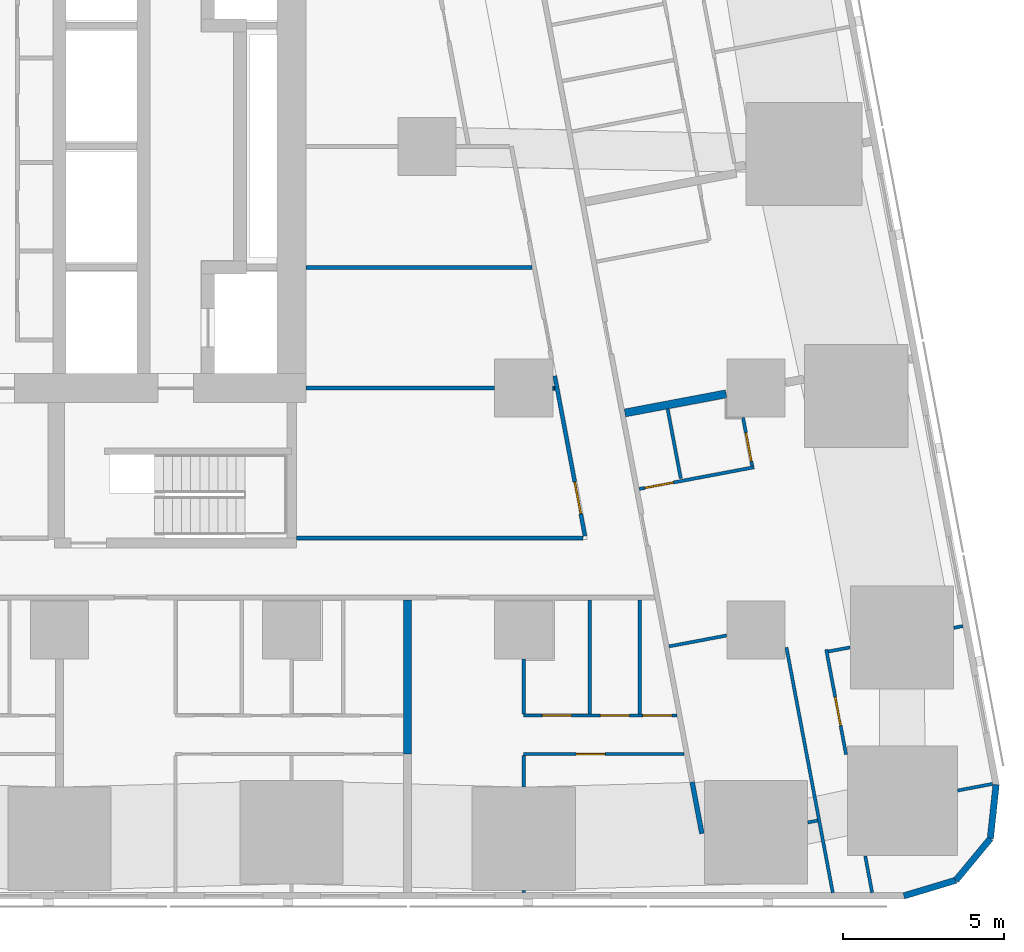
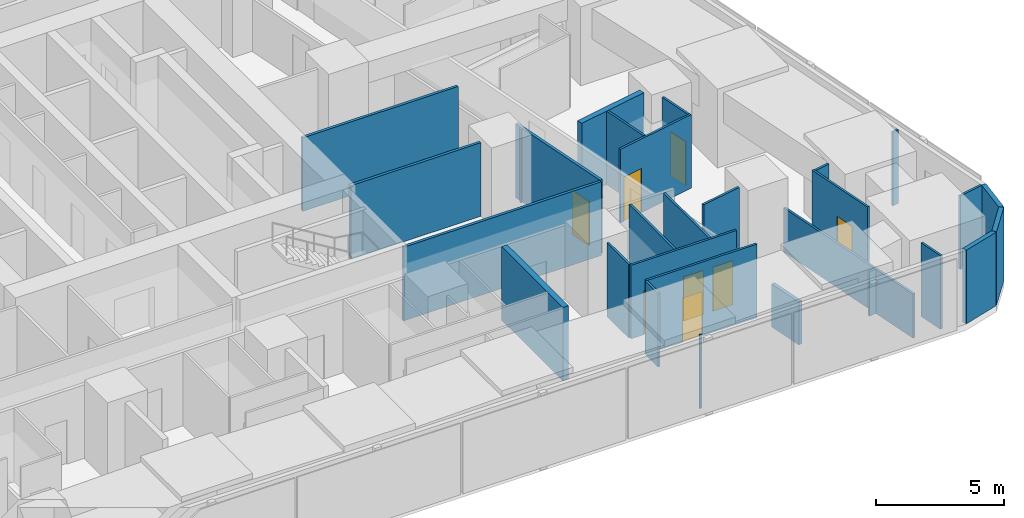
# One storey, part 9 of 18: 29 walls, 8 doors, 8 openings.
"""IFC4 building model written with IfcOpenShell, lengths in metres."""

from ifc_helpers import new_model, si_unit, direction, frame, frame_2d, origin, place, context, subcontext, project, spatial, rectangle, extrude, material, layer, layer_set, type_object, element, fill, save


model = new_model("IFC4")

# Units and contexts
model_context = context("Model", 3, precision=1e-05, world=origin(), true_north=direction((0.0, 1.0)))
body_context = subcontext(model_context, "Body", "Model", "MODEL_VIEW")
ifc_project = project(units=[si_unit("LENGTHUNIT", "METRE"), si_unit("AREAUNIT", "SQUARE_METRE"), si_unit("VOLUMEUNIT", "CUBIC_METRE"), si_unit("PLANEANGLEUNIT", "RADIAN"), si_unit("MASSUNIT", "GRAM", prefix="KILO")], contexts=[model_context])

# Site, building, storey
site_placement = place(None, origin())
site = spatial("IfcSite", under=ifc_project, at=site_placement, CompositionType="ELEMENT")
building_placement = place(site_placement, origin())
building = spatial("IfcBuilding", under=site, at=building_placement, Name="Sheger Commons Tower", CompositionType="ELEMENT")
storey_placement = place(building_placement, frame((0.0, 0.0, 20.0)))
storey = spatial("IfcBuildingStorey", under=building, at=storey_placement, Name="L04", CompositionType="ELEMENT", Elevation=20.0)

# Walls
ifc_material_1 = material(Name="Hollow concrete block masonry, skimmed both sides", Category="masonry")
ifc_layer_1 = layer(ifc_material_1, 0.14990234375)
ifc_layer_set_1 = layer_set([ifc_layer_1], Name="CORRIDOR WALL 150")
wall_type_1 = type_object("IfcWallType", Name="CORRIDOR WALL 150", PredefinedType="SOLIDWALL", material=ifc_layer_set_1)
wall_1_placement = place(storey_placement, frame((41.22412109375, 2.782958984375, 0.0), z_axis=(0.0, 0.0, 1.0), x_axis=(0.185566507215, -0.982631706897, 0.0)))
element("IfcWall", 1, at=wall_1_placement, inside=storey, type_object=wall_type_1, Name="Corridor wall L04", PredefinedType="SOLIDWALL", context=body_context, shape_type="SweptSolid", body=[
    extrude(rectangle(XDim=1.626220703125, YDim=0.14990234375, at=frame_2d((0.81298828125, 0.0))), origin(), (0.0, 0.0, 1.0), 2.050048828125),
])
ifc_material_2 = material(Name="Dense concrete block masonry, plastered both sides (separating wall between flats)", Category="masonry")
ifc_layer_2 = layer(ifc_material_2, 0.25)
ifc_layer_set_2 = layer_set([ifc_layer_2], Name="DEMISING WALL 250")
wall_type_2 = type_object("IfcWallType", Name="DEMISING WALL 250", PredefinedType="SOLIDWALL", material=ifc_layer_set_2)
wall_2_placement = place(storey_placement, frame((32.39990234375, 3.64990234375, 0.0), z_axis=(0.0, 0.0, 1.0), x_axis=(0.0, 1.0, 0.0)))
element("IfcWall", 2, at=wall_2_placement, inside=storey, type_object=wall_type_2, Name="Demising wall L04", PredefinedType="SOLIDWALL", context=body_context, shape_type="SweptSolid", body=[
    extrude(rectangle(XDim=4.775146484375, YDim=0.25, at=frame_2d((2.3876953125, 0.0))), origin(), (0.0, 0.0, 1.0), 3.5),
])
wall_3_placement = place(storey_placement, frame((42.27587890625, 14.824951171875, 0.0), z_axis=(0.0, 0.0, 1.0), x_axis=(-0.982607211054, -0.185696173318, 0.0)))
element("IfcWall", 3, at=wall_3_placement, inside=storey, type_object=wall_type_2, Name="Demising wall L04", PredefinedType="SOLIDWALL", context=body_context, shape_type="SweptSolid", body=[
    extrude(rectangle(XDim=3.193603515625, YDim=0.25, at=frame_2d((1.5966796875, 0.0))), origin(), (0.0, 0.0, 1.0), 3.5),
])
ifc_material_3 = material(Name="Rendered concrete block masonry, dark grey", Category="masonry")
ifc_layer_3 = layer(ifc_material_3, 0.199951171875)
ifc_layer_set_3 = layer_set([ifc_layer_3], Name="FACADE WALL 200")
wall_type_3 = type_object("IfcWallType", Name="FACADE WALL 200", PredefinedType="SOLIDWALL", material=ifc_layer_set_3)
wall_4_placement = place(storey_placement, frame((47.791015625, -0.75, 0.0), z_axis=(0.0, 0.0, 1.0), x_axis=(0.957455232626, 0.288581838509, 0.0)))
element("IfcWall", 4, at=wall_4_placement, inside=storey, type_object=wall_type_3, Name="Facade wall L04", PredefinedType="SOLIDWALL", context=body_context, shape_type="SweptSolid", body=[
    extrude(rectangle(XDim=1.687744140625, YDim=0.199951171875, at=frame_2d((0.84375, 0.0))), origin(), (0.0, 0.0, 1.0), 3.5),
])
wall_5_placement = place(storey_placement, frame((49.406982421875, -0.262939453125, 0.0), z_axis=(0.0, 0.0, 1.0), x_axis=(0.638042593423, 0.770001070764, 0.0)))
element("IfcWall", 5, at=wall_5_placement, inside=storey, type_object=wall_type_3, Name="Facade wall L04", PredefinedType="SOLIDWALL", context=body_context, shape_type="SweptSolid", body=[
    extrude(rectangle(XDim=1.672607421875, YDim=0.199951171875, at=frame_2d((0.83642578125, 0.0))), origin(), (0.0, 0.0, 1.0), 3.5),
])
wall_6_placement = place(storey_placement, frame((50.47412109375, 1.02490234375, 0.0), z_axis=(0.0, 0.0, 1.0), x_axis=(0.106047815515, 0.994361031429, 0.0)))
element("IfcWall", 6, at=wall_6_placement, inside=storey, type_object=wall_type_3, Name="Facade wall L04", PredefinedType="SOLIDWALL", context=body_context, shape_type="SweptSolid", body=[
    extrude(rectangle(XDim=1.6875, YDim=0.199951171875, at=frame_2d((0.84375, 0.0))), origin(), (0.0, 0.0, 1.0), 3.5),
])

# Wall, opening, door
ifc_material_4 = material(Name="Gypsum board on steel studs", Category="steel")
ifc_layer_4 = layer(ifc_material_4, 0.10009765625)
ifc_layer_set_4 = layer_set([ifc_layer_4], Name="PARTITION 100")
wall_type_4 = type_object("IfcWallType", Name="PARTITION 100", PredefinedType="PARTITIONING", material=ifc_layer_set_4)
wall_7_placement = place(storey_placement, frame((40.97509765625, 3.64990234375, 0.0), z_axis=(0.0, 0.0, 1.0), x_axis=(-1.0, 0.0, 0.0)))
wall_7 = element("IfcWall", 7, at=wall_7_placement, inside=storey, type_object=wall_type_4, Name="Partition L04", PredefinedType="PARTITIONING", context=body_context, shape_type="SweptSolid", body=[
    extrude(rectangle(XDim=4.97509765625, YDim=0.10009765625, at=frame_2d((2.487548828125, 0.0))), origin(), (0.0, 0.0, 1.0), 3.5),
])
opening_1_placement = place(wall_7_placement, frame((2.449951171875, 0.0, 0.0)))
opening_1 = element("IfcOpeningElement", 8, at=opening_1_placement, cuts=wall_7, Name="Opening D2", PredefinedType="OPENING", context=body_context, shape_type="SweptSolid", body=[
    extrude(rectangle(XDim=0.89990234375, YDim=2.10009765625, at=frame_2d((0.449951171875, 1.050048828125))), frame((0.0, 0.06005859375, 0.0), z_axis=(0.0, -1.0, 0.0), x_axis=(1.0, 0.0, 0.0)), (0.0, 0.0, 1.0), 0.1201171875),
])
ifc_material_5 = material(Name="Timber door set", Category="wood")
door_type_1 = type_object("IfcDoorType", Name="INTERNAL DOOR 900x2100", OperationType="NOTDEFINED", PredefinedType="DOOR", material=ifc_material_5)
door_1_placement = place(opening_1_placement, origin())
door_1 = element("IfcDoor", 9, at=door_1_placement, inside=storey, type_object=door_type_1, Name="Main bedroom door", OperationType="SINGLE_SWING_RIGHT", OverallHeight=2.10009765625, OverallWidth=0.89990234375, PredefinedType="DOOR", context=body_context, shape_type="SweptSolid", body=[
    extrude(rectangle(XDim=0.89990234375, YDim=2.10009765625, at=frame_2d((0.449951171875, 1.050048828125))), frame((0.0, 0.02490234375, 0.0), z_axis=(0.0, -1.0, 0.0), x_axis=(1.0, 0.0, 0.0)), (0.0, 0.0, 1.0), 0.050048828125),
])
fill(opening_1, door_1)

# Wall, openings, doors
wall_8_placement = place(storey_placement, frame((40.748046875, 4.85009765625, 0.0), z_axis=(0.0, 0.0, 1.0), x_axis=(-1.0, 0.0, 0.0)))
wall_8 = element("IfcWall", 10, at=wall_8_placement, inside=storey, type_object=wall_type_4, Name="Partition L04", PredefinedType="PARTITIONING", context=body_context, shape_type="SweptSolid", body=[
    extrude(rectangle(XDim=4.748046875, YDim=0.10009765625, at=frame_2d((2.3740234375, 0.0))), origin(), (0.0, 0.0, 1.0), 3.5),
])
opening_2_placement = place(wall_8_placement, frame((3.27294921875, 0.0, 0.0)))
opening_2 = element("IfcOpeningElement", 11, at=opening_2_placement, cuts=wall_8, Name="Opening D2", PredefinedType="OPENING", context=body_context, shape_type="SweptSolid", body=[
    extrude(rectangle(XDim=0.89990234375, YDim=2.10009765625, at=frame_2d((0.449951171875, 1.050048828125))), frame((0.0, 0.06005859375, 0.0), z_axis=(0.0, -1.0, 0.0), x_axis=(1.0, 0.0, 0.0)), (0.0, 0.0, 1.0), 0.1201171875),
])
opening_3_placement = place(wall_8_placement, frame((0.14990234375, 0.0, 0.0)))
opening_3 = element("IfcOpeningElement", 12, at=opening_3_placement, cuts=wall_8, Name="Opening D2", PredefinedType="OPENING", context=body_context, shape_type="SweptSolid", body=[
    extrude(rectangle(XDim=0.89990234375, YDim=2.10009765625, at=frame_2d((0.449951171875, 1.050048828125))), frame((0.0, 0.06005859375, 0.0), z_axis=(0.0, -1.0, 0.0), x_axis=(1.0, 0.0, 0.0)), (0.0, 0.0, 1.0), 0.1201171875),
])
opening_4_placement = place(wall_8_placement, frame((1.472900390625, 0.0, 0.0)))
opening_4 = element("IfcOpeningElement", 13, at=opening_4_placement, cuts=wall_8, Name="Opening D2", PredefinedType="OPENING", context=body_context, shape_type="SweptSolid", body=[
    extrude(rectangle(XDim=0.89990234375, YDim=2.10009765625, at=frame_2d((0.449951171875, 1.050048828125))), frame((0.0, 0.06005859375, 0.0), z_axis=(0.0, -1.0, 0.0), x_axis=(1.0, 0.0, 0.0)), (0.0, 0.0, 1.0), 0.1201171875),
])
door_2_placement = place(opening_2_placement, origin())
door_2 = element("IfcDoor", 14, at=door_2_placement, inside=storey, type_object=door_type_1, Name="Bathroom door", OperationType="SINGLE_SWING_LEFT", OverallHeight=2.10009765625, OverallWidth=0.89990234375, PredefinedType="DOOR", context=body_context, shape_type="SweptSolid", body=[
    extrude(rectangle(XDim=0.89990234375, YDim=2.10009765625, at=frame_2d((0.449951171875, 1.050048828125))), frame((0.0, 0.02490234375, 0.0), z_axis=(0.0, -1.0, 0.0), x_axis=(1.0, 0.0, 0.0)), (0.0, 0.0, 1.0), 0.050048828125),
])
fill(opening_2, door_2)
door_3_placement = place(opening_3_placement, origin())
door_3 = element("IfcDoor", 15, at=door_3_placement, inside=storey, type_object=door_type_1, Name="Laundry room door", OperationType="SINGLE_SWING_RIGHT", OverallHeight=2.10009765625, OverallWidth=0.89990234375, PredefinedType="DOOR", context=body_context, shape_type="SweptSolid", body=[
    extrude(rectangle(XDim=0.89990234375, YDim=2.10009765625, at=frame_2d((0.449951171875, 1.050048828125))), frame((0.0, 0.02490234375, 0.0), z_axis=(0.0, -1.0, 0.0), x_axis=(1.0, 0.0, 0.0)), (0.0, 0.0, 1.0), 0.050048828125),
])
fill(opening_3, door_3)
door_4_placement = place(opening_4_placement, origin())
door_4 = element("IfcDoor", 16, at=door_4_placement, inside=storey, type_object=door_type_1, Name="Store door", OperationType="SINGLE_SWING_RIGHT", OverallHeight=2.10009765625, OverallWidth=0.89990234375, PredefinedType="DOOR", context=body_context, shape_type="SweptSolid", body=[
    extrude(rectangle(XDim=0.89990234375, YDim=2.10009765625, at=frame_2d((0.449951171875, 1.050048828125))), frame((0.0, 0.02490234375, 0.0), z_axis=(0.0, -1.0, 0.0), x_axis=(1.0, 0.0, 0.0)), (0.0, 0.0, 1.0), 0.050048828125),
])
fill(opening_4, door_4)

# Walls
wall_9_placement = place(storey_placement, frame((36.0, -0.64990234375, 0.0), z_axis=(0.0, 0.0, 1.0), x_axis=(0.0, 1.0, 0.0)))
element("IfcWall", 17, at=wall_9_placement, inside=storey, type_object=wall_type_4, Name="Partition L04", PredefinedType="PARTITIONING", context=body_context, shape_type="SweptSolid", body=[
    extrude(rectangle(XDim=0.073974609375, YDim=0.10009765625, at=frame_2d((0.037109375, 0.0))), origin(), (0.0, 0.0, 1.0), 3.5),
])
wall_10_placement = place(storey_placement, frame((36.0, 2.6259765625, 0.0), z_axis=(0.0, 0.0, 1.0), x_axis=(0.0, 1.0, 0.0)))
element("IfcWall", 18, at=wall_10_placement, inside=storey, type_object=wall_type_4, Name="Partition L04", PredefinedType="PARTITIONING", context=body_context, shape_type="SweptSolid", body=[
    extrude(rectangle(XDim=0.97412109375, YDim=0.10009765625, at=frame_2d((0.487060546875, 0.0))), origin(), (0.0, 0.0, 1.0), 3.5),
])
wall_11_placement = place(storey_placement, frame((36.0, 4.89990234375, 0.0), z_axis=(0.0, 0.0, 1.0), x_axis=(0.0, 1.0, 0.0)))
element("IfcWall", 19, at=wall_11_placement, inside=storey, type_object=wall_type_4, Name="Partition L04", PredefinedType="PARTITIONING", context=body_context, shape_type="SweptSolid", body=[
    extrude(rectangle(XDim=1.69921875, YDim=0.10009765625, at=frame_2d((0.849609375, 0.0))), origin(), (0.0, 0.0, 1.0), 3.5),
])
for number, where, z_axis, x_axis, name in (
    (20, (39.60009765625, 4.89990234375, 0.0), (0.0, 0.0, 1.0), (0.0, 1.0, 0.0), "Partition L04"),
    (21, (38.050048828125, 4.89990234375, 0.0), (0.0, 0.0, 1.0), (0.0, 1.0, 0.0), "Partition L04"),
):
    element("IfcWall", number, at=place(storey_placement, frame(where, z_axis=z_axis, x_axis=x_axis)), inside=storey, type_object=wall_type_4, Name=name, PredefinedType="PARTITIONING", context=body_context, shape_type="SweptSolid", body=[
        extrude(rectangle(XDim=3.525146484375, YDim=0.10009765625, at=frame_2d((1.7626953125, 0.0))), origin(), (0.0, 0.0, 1.0), 3.5),
    ])

# Wall, opening, door
wall_12_placement = place(storey_placement, frame((42.802978515625, 14.090087890625, 0.0), z_axis=(0.0, 0.0, 1.0), x_axis=(0.185608486942, -0.982623778246, 0.0)))
wall_12 = element("IfcWall", 22, at=wall_12_placement, inside=storey, type_object=wall_type_4, Name="Partition L04", PredefinedType="PARTITIONING", context=body_context, shape_type="SweptSolid", body=[
    extrude(rectangle(XDim=1.52978515625, YDim=0.10009765625, at=frame_2d((0.764892578125, 0.0))), origin(), (0.0, 0.0, 1.0), 3.5),
])
opening_5_placement = place(wall_12_placement, frame((0.47998046875, 0.0, 0.0)))
opening_5 = element("IfcOpeningElement", 23, at=opening_5_placement, cuts=wall_12, Name="Opening D2", PredefinedType="OPENING", context=body_context, shape_type="SweptSolid", body=[
    extrude(rectangle(XDim=0.89990234375, YDim=2.10009765625, at=frame_2d((0.449951171875, 1.050048828125))), frame((0.0, 0.06005859375, 0.0), z_axis=(0.0, -1.0, 0.0), x_axis=(1.0, 0.0, 0.0)), (0.0, 0.0, 1.0), 0.1201171875),
])
door_5_placement = place(opening_5_placement, origin())
door_5 = element("IfcDoor", 24, at=door_5_placement, inside=storey, type_object=door_type_1, Name="Shower room door", OperationType="SINGLE_SWING_LEFT", OverallHeight=2.10009765625, OverallWidth=0.89990234375, PredefinedType="DOOR", context=body_context, shape_type="SweptSolid", body=[
    extrude(rectangle(XDim=0.89990234375, YDim=2.10009765625, at=frame_2d((0.449951171875, 1.050048828125))), frame((0.0, 0.02490234375, 0.0), z_axis=(0.0, -1.0, 0.0), x_axis=(1.0, 0.0, 0.0)), (0.0, 0.0, 1.0), 0.050048828125),
])
fill(opening_5, door_5)

wall_13_placement = place(storey_placement, frame((43.14501953125, 12.547119140625, 0.0), z_axis=(0.0, 0.0, 1.0), x_axis=(-0.982610451136, -0.185679027675, 0.0)))
wall_13 = element("IfcWall", 25, at=wall_13_placement, inside=storey, type_object=wall_type_4, Name="Partition L04", PredefinedType="PARTITIONING", context=body_context, shape_type="SweptSolid", body=[
    extrude(rectangle(XDim=3.625, YDim=0.10009765625, at=frame_2d((1.8125, 0.0))), origin(), (0.0, 0.0, 1.0), 3.5),
])
opening_6_placement = place(wall_13_placement, frame((2.550048828125, 0.0, 0.0)))
opening_6 = element("IfcOpeningElement", 26, at=opening_6_placement, cuts=wall_13, Name="Opening D2", PredefinedType="OPENING", context=body_context, shape_type="SweptSolid", body=[
    extrude(rectangle(XDim=0.89990234375, YDim=2.10009765625, at=frame_2d((0.449951171875, 1.050048828125))), frame((0.0, 0.06005859375, 0.0), z_axis=(0.0, -1.0, 0.0), x_axis=(1.0, 0.0, 0.0)), (0.0, 0.0, 1.0), 0.1201171875),
])
door_6_placement = place(opening_6_placement, origin())
door_6 = element("IfcDoor", 27, at=door_6_placement, inside=storey, type_object=door_type_1, Name="Store door", OperationType="SINGLE_SWING_LEFT", OverallHeight=2.10009765625, OverallWidth=0.89990234375, PredefinedType="DOOR", context=body_context, shape_type="SweptSolid", body=[
    extrude(rectangle(XDim=0.89990234375, YDim=2.10009765625, at=frame_2d((0.449951171875, 1.050048828125))), frame((0.0, 0.02490234375, 0.0), z_axis=(0.0, -1.0, 0.0), x_axis=(1.0, 0.0, 0.0)), (0.0, 0.0, 1.0), 0.050048828125),
])
fill(opening_6, door_6)

# Wall
wall_14_placement = place(storey_placement, frame((40.462890625, 14.35498046875, 0.0), z_axis=(0.0, 0.0, 1.0), x_axis=(0.185760900029, -0.98259497659, 0.0)))
element("IfcWall", 28, at=wall_14_placement, inside=storey, type_object=wall_type_4, Name="Partition L04", PredefinedType="PARTITIONING", context=body_context, shape_type="SweptSolid", body=[
    extrude(rectangle(XDim=2.192138671875, YDim=0.10009765625, at=frame_2d((1.09619140625, 0.0))), origin(), (0.0, 0.0, 1.0), 3.5),
])

# Wall, opening, door
wall_15_placement = place(storey_placement, frame((45.383056640625, 6.89404296875, 0.0), z_axis=(0.0, 0.0, 1.0), x_axis=(0.185714962489, -0.982603660032, 0.0)))
wall_15 = element("IfcWall", 29, at=wall_15_placement, inside=storey, type_object=wall_type_4, Name="Partition L04", PredefinedType="PARTITIONING", context=body_context, shape_type="SweptSolid", body=[
    extrude(rectangle(XDim=3.316650390625, YDim=0.10009765625, at=frame_2d((1.658203125, 0.0))), origin(), (0.0, 0.0, 1.0), 3.5),
])
opening_7_placement = place(wall_15_placement, frame((1.5, 0.0, 0.0)))
opening_7 = element("IfcOpeningElement", 30, at=opening_7_placement, cuts=wall_15, Name="Opening D2", PredefinedType="OPENING", context=body_context, shape_type="SweptSolid", body=[
    extrude(rectangle(XDim=0.89990234375, YDim=2.10009765625, at=frame_2d((0.449951171875, 1.050048828125))), frame((0.0, 0.06005859375, 0.0), z_axis=(0.0, -1.0, 0.0), x_axis=(1.0, 0.0, 0.0)), (0.0, 0.0, 1.0), 0.1201171875),
])
door_7_placement = place(opening_7_placement, origin())
door_7 = element("IfcDoor", 31, at=door_7_placement, inside=storey, type_object=door_type_1, Name="Main bedroom door", OperationType="SINGLE_SWING_RIGHT", OverallHeight=2.10009765625, OverallWidth=0.89990234375, PredefinedType="DOOR", context=body_context, shape_type="SweptSolid", body=[
    extrude(rectangle(XDim=0.89990234375, YDim=2.10009765625, at=frame_2d((0.449951171875, 1.050048828125))), frame((0.0, 0.02490234375, 0.0), z_axis=(0.0, -1.0, 0.0), x_axis=(1.0, 0.0, 0.0)), (0.0, 0.0, 1.0), 0.050048828125),
])
fill(opening_7, door_7)

# Walls
wall_16_placement = place(storey_placement, frame((46.593017578125, 0.487060546875, 0.0), z_axis=(0.0, 0.0, 1.0), x_axis=(0.185880657422, -0.982572328735, 0.0)))
element("IfcWall", 32, at=wall_16_placement, inside=storey, type_object=wall_type_4, Name="Partition L04", PredefinedType="PARTITIONING", context=body_context, shape_type="SweptSolid", body=[
    extrude(rectangle(XDim=1.1572265625, YDim=0.10009765625, at=frame_2d((0.57861328125, 0.0))), origin(), (0.0, 0.0, 1.0), 3.5),
])
wall_17_placement = place(storey_placement, frame((44.14892578125, 6.9599609375, 0.0), z_axis=(0.0, 0.0, 1.0), x_axis=(0.185677796828, -0.982610683722, 0.0)))
element("IfcWall", 33, at=wall_17_placement, inside=storey, type_object=wall_type_4, Name="Partition L04", PredefinedType="PARTITIONING", context=body_context, shape_type="SweptSolid", body=[
    extrude(rectangle(XDim=7.74462890625, YDim=0.10009765625, at=frame_2d((3.872314453125, 0.0))), origin(), (0.0, 0.0, 1.0), 2.10009765625),
])
wall_18_placement = place(storey_placement, frame((49.6220703125, 7.6201171875, 0.0), z_axis=(0.0, 0.0, 1.0), x_axis=(-0.982649953213, -0.185469861299, 0.0)))
element("IfcWall", 34, at=wall_18_placement, inside=storey, type_object=wall_type_4, Name="Partition L04", PredefinedType="PARTITIONING", context=body_context, shape_type="SweptSolid", body=[
    extrude(rectangle(XDim=0.286865234375, YDim=0.10009765625, at=frame_2d((0.1435546875, 0.0))), origin(), (0.0, 0.0, 1.0), 3.5),
])
wall_19_placement = place(storey_placement, frame((46.1201171875, 6.958984375, 0.0), z_axis=(0.0, 0.0, 1.0), x_axis=(-0.982722777639, -0.185083608972, 0.0)))
element("IfcWall", 35, at=wall_19_placement, inside=storey, type_object=wall_type_4, Name="Partition L04", PredefinedType="PARTITIONING", context=body_context, shape_type="SweptSolid", body=[
    extrude(rectangle(XDim=0.68603515625, YDim=0.10009765625, at=frame_2d((0.343017578125, 0.0))), origin(), (0.0, 0.0, 1.0), 3.5),
])
wall_20_placement = place(storey_placement, frame((50.547119140625, 2.72607421875, 0.0), z_axis=(0.0, 0.0, 1.0), x_axis=(-0.982569158372, -0.185897415303, 0.0)))
element("IfcWall", 36, at=wall_20_placement, inside=storey, type_object=wall_type_4, Name="Partition L04", PredefinedType="PARTITIONING", context=body_context, shape_type="SweptSolid", body=[
    extrude(rectangle(XDim=1.1083984375, YDim=0.10009765625, at=frame_2d((0.55419921875, 0.0))), origin(), (0.0, 0.0, 1.0), 3.5),
])
wall_21_placement = place(storey_placement, frame((42.2900390625, 7.327880859375, 0.0), z_axis=(0.0, 0.0, 1.0), x_axis=(-0.98262927905, -0.185579362952, 0.0)))
element("IfcWall", 37, at=wall_21_placement, inside=storey, type_object=wall_type_4, Name="Partition L04", PredefinedType="PARTITIONING", context=body_context, shape_type="SweptSolid", body=[
    extrude(rectangle(XDim=1.8154296875, YDim=0.10009765625, at=frame_2d((0.90771484375, 0.0))), origin(), (0.0, 0.0, 1.0), 3.5),
])
wall_22_placement = place(storey_placement, frame((45.114013671875, 1.5869140625, 0.0), z_axis=(0.0, 0.0, 1.0), x_axis=(-0.982934694903, -0.183954846516, 0.0)))
element("IfcWall", 38, at=wall_22_placement, inside=storey, type_object=wall_type_4, Name="Partition L04", PredefinedType="PARTITIONING", context=body_context, shape_type="SweptSolid", body=[
    extrude(rectangle(XDim=0.309326171875, YDim=0.10009765625, at=frame_2d((0.15478515625, 0.0))), origin(), (0.0, 0.0, 1.0), 2.10009765625),
])
ifc_material_6 = material(Name="Gypsum board on steel studs, two layers each side, fire rated", Category="steel")
ifc_layer_5 = layer(ifc_material_6, 0.125)
ifc_layer_set_5 = layer_set([ifc_layer_5], Name="SERVICE WALL 125")
wall_type_5 = type_object("IfcWallType", Name="SERVICE WALL 125", PredefinedType="PARTITIONING", material=ifc_layer_set_5)
wall_23_placement = place(storey_placement, frame((28.949951171875, 10.35009765625, 0.0), z_axis=(0.0, 0.0, 1.0), x_axis=(1.0, 0.0, 0.0)))
element("IfcWall", 39, at=wall_23_placement, inside=storey, type_object=wall_type_5, Name="Service room wall L04", PredefinedType="PARTITIONING", context=body_context, shape_type="SweptSolid", body=[
    extrude(rectangle(XDim=8.885986328125, YDim=0.125, at=frame_2d((4.44287109375, 0.0))), origin(), (0.0, 0.0, 1.0), 3.5),
])

# Wall, opening, door
wall_24_placement = place(storey_placement, frame((37.89990234375, 10.4130859375, 0.0), z_axis=(0.0, 0.0, 1.0), x_axis=(-0.185527510388, 0.982639070508, 0.0)))
wall_24 = element("IfcWall", 40, at=wall_24_placement, inside=storey, type_object=wall_type_5, Name="Service room wall L04", PredefinedType="PARTITIONING", context=body_context, shape_type="SweptSolid", body=[
    extrude(rectangle(XDim=5.055908203125, YDim=0.125, at=frame_2d((2.52783203125, 0.0))), origin(), (0.0, 0.0, 1.0), 3.5),
])
opening_8_placement = place(wall_24_placement, frame((0.7080078125, 0.0, 0.0)))
opening_8 = element("IfcOpeningElement", 41, at=opening_8_placement, cuts=wall_24, Name="Opening D4", PredefinedType="OPENING", context=body_context, shape_type="SweptSolid", body=[
    extrude(rectangle(XDim=1.0, YDim=2.10009765625, at=frame_2d((0.5, 1.050048828125))), frame((0.0, 0.072509765625, 0.0), z_axis=(0.0, -1.0, 0.0), x_axis=(1.0, 0.0, 0.0)), (0.0, 0.0, 1.0), 0.14501953125),
])
ifc_material_7 = material(Name="Steel door set, fire rated", Category="steel")
door_type_2 = type_object("IfcDoorType", Name="SERVICE DOOR 1000x2100", OperationType="NOTDEFINED", PredefinedType="DOOR", material=ifc_material_7)
door_8_placement = place(opening_8_placement, origin())
door_8 = element("IfcDoor", 42, at=door_8_placement, inside=storey, type_object=door_type_2, Name="Residents' study room door", OperationType="SINGLE_SWING_LEFT", OverallHeight=2.10009765625, OverallWidth=1.0, PredefinedType="DOOR", context=body_context, shape_type="SweptSolid", body=[
    extrude(rectangle(XDim=1.0, YDim=2.10009765625, at=frame_2d((0.5, 1.050048828125))), frame((0.0, 0.02490234375, 0.0), z_axis=(0.0, -1.0, 0.0), x_axis=(1.0, 0.0, 0.0)), (0.0, 0.0, 1.0), 0.050048828125),
])
fill(opening_8, door_8)

# Walls
wall_25_placement = place(storey_placement, frame((29.25, 15.0, 0.0), z_axis=(0.0, 0.0, 1.0), x_axis=(1.0, 0.0, 0.0)))
element("IfcWall", 43, at=wall_25_placement, inside=storey, type_object=wall_type_5, Name="Service room wall L04", PredefinedType="PARTITIONING", context=body_context, shape_type="SweptSolid", body=[
    extrude(rectangle(XDim=5.84912109375, YDim=0.125, at=frame_2d((2.924560546875, 0.0))), origin(), (0.0, 0.0, 1.0), 3.5),
])
wall_26_placement = place(storey_placement, frame((36.90087890625, 15.0, 0.0), z_axis=(0.0, 0.0, 1.0), x_axis=(1.0, 0.0, 0.0)))
element("IfcWall", 44, at=wall_26_placement, inside=storey, type_object=wall_type_5, Name="Service room wall L04", PredefinedType="PARTITIONING", context=body_context, shape_type="SweptSolid", body=[
    extrude(rectangle(XDim=0.05712890625, YDim=0.125, at=frame_2d((0.028564453125, 0.0))), origin(), (0.0, 0.0, 1.0), 3.5),
])
wall_27_placement = place(storey_placement, frame((29.25, 18.75, 0.0), z_axis=(0.0, 0.0, 1.0), x_axis=(1.0, 0.0, 0.0)))
element("IfcWall", 45, at=wall_27_placement, inside=storey, type_object=wall_type_5, Name="Service room wall L04", PredefinedType="PARTITIONING", context=body_context, shape_type="SweptSolid", body=[
    extrude(rectangle(XDim=7.0, YDim=0.125, at=frame_2d((3.5, 0.0))), origin(), (0.0, 0.0, 1.0), 3.5),
])

save(model, "model.ifc")
